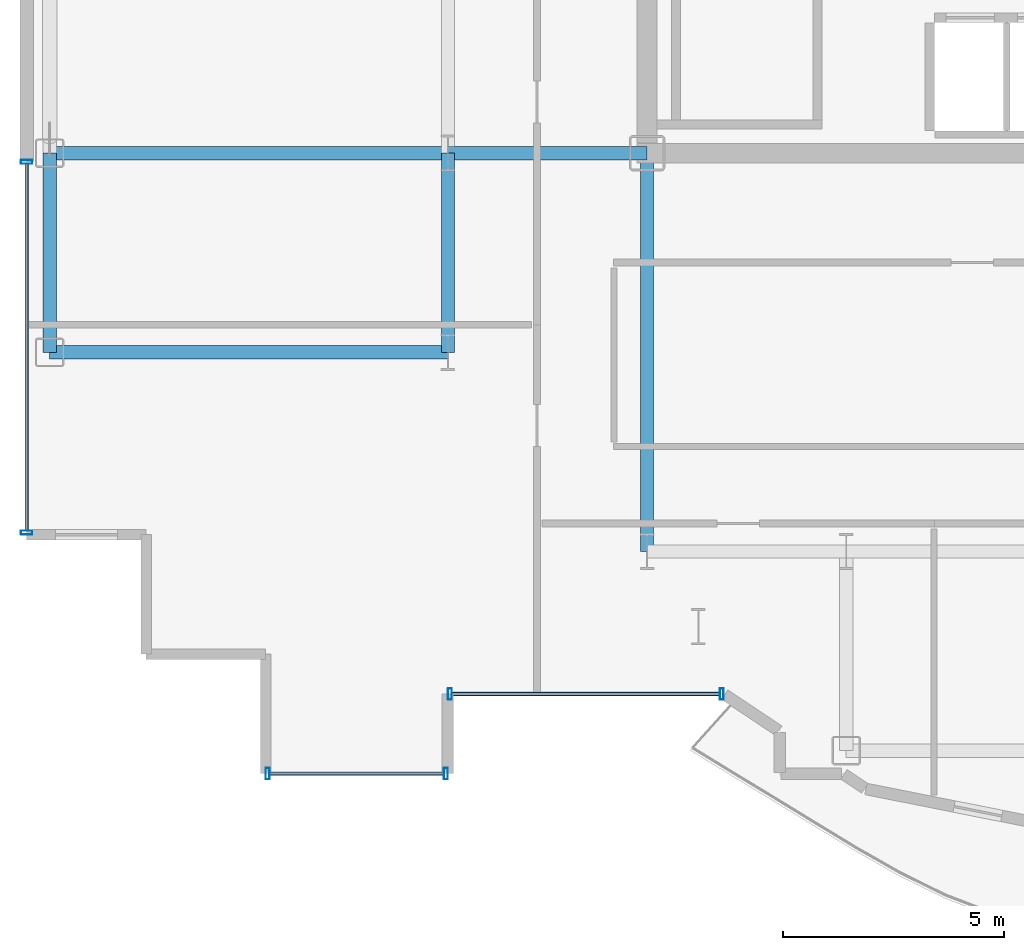
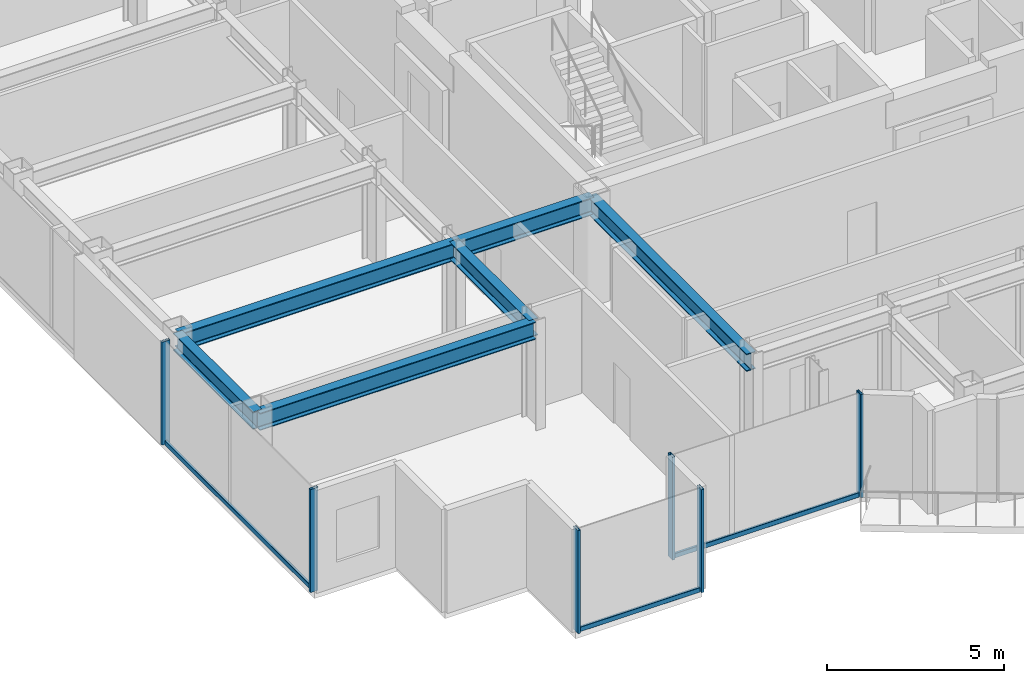
# One storey, part 2 of 22: 9 members, 6 beams, 3 elements without a shape of their own.
"""IFC4 building model written with IfcOpenShell, lengths in metres."""

from ifc_helpers import new_model, si_unit, direction, frame, origin, origin_2d, place, context, subcontext, project, spatial, hollow_rectangle, i_section, extrude, source, transform, mapped, material, layer, layer_set, material_profile, profile_set, type_object, element, aggregate, save


model = new_model("IFC4")

# Units and contexts
model_context = context("Model", 3, precision=1e-05, world=origin(), true_north=direction((0.0, 1.0)))
body_context = subcontext(model_context, "Body", "Model", "MODEL_VIEW")
ifc_project = project(units=[si_unit("LENGTHUNIT", "METRE"), si_unit("AREAUNIT", "SQUARE_METRE"), si_unit("VOLUMEUNIT", "CUBIC_METRE"), si_unit("PLANEANGLEUNIT", "RADIAN"), si_unit("MASSUNIT", "GRAM", prefix="KILO")], contexts=[model_context])

# Site, building, storey
site_placement = place(None, origin())
site = spatial("IfcSite", under=ifc_project, at=site_placement, CompositionType="ELEMENT")
building_placement = place(site_placement, origin())
building = spatial("IfcBuilding", under=site, at=building_placement, Name="Nefas-Gora Pilgrimage Tower", CompositionType="ELEMENT")
storey_placement = place(building_placement, frame((0.0, 0.0, 218.0)))
storey = spatial("IfcBuildingStorey", under=building, at=storey_placement, Name="L54", CompositionType="ELEMENT", Elevation=218.0)

# Beams
ifc_material_1 = material(Name="Steel S355", Category="steel")
ifc_material_profile_1 = material_profile(ifc_material_1, i_section(OverallWidth=0.300048828125, OverallDepth=0.60009765625, WebThickness=0.015380859375, FlangeThickness=0.030029296875, FilletRadius=0.027099609375, at=origin_2d()), Name="HEB 600")
ifc_profile_set_1 = profile_set([ifc_material_profile_1], Name="Steel S355")
beam_type_1 = type_object("IfcBeamType", Name="BM-SPN-HEB450", PredefinedType="SPANDREL", material=ifc_profile_set_1)
shared_shape_1 = source(origin(), body_context, "Body", "SweptSolid", [
    extrude(i_section(OverallWidth=0.300048828125, OverallDepth=0.60009765625, WebThickness=0.015380859375, FlangeThickness=0.030029296875, FilletRadius=0.027099609375, at=origin_2d()), origin(), (0.0, 0.0, 1.0), 4.5),
])
beam_placement = place(storey_placement, frame((-24.75, -13.5, 3.25), z_axis=(0.0, 1.0, 0.0), x_axis=(-1.0, 0.0, 0.0)))
element("IfcBeam", 1, at=beam_placement, inside=storey, type_object=beam_type_1, Name="L54 SP-03 beam", PredefinedType="SPANDREL", context=body_context, shape_type="MappedRepresentation", body=[
    mapped(shared_shape_1, transform((0.0, 0.0, 0.0), x_axis=(1.0, 0.0, 0.0), y_axis=(0.0, 1.0, 0.0), z_axis=(0.0, 0.0, 1.0), scale=1.0)),
])
ifc_material_profile_2 = material_profile(ifc_material_1, i_section(OverallWidth=0.300048828125, OverallDepth=0.60009765625, WebThickness=0.015380859375, FlangeThickness=0.030029296875, FilletRadius=0.027099609375, at=origin_2d()), Name="HEB 600")
ifc_profile_set_2 = profile_set([ifc_material_profile_2], Name="Steel S355")
beam_type_2 = type_object("IfcBeamType", Name="BM-GIR-HEB600", PredefinedType="BEAM", material=ifc_profile_set_2)
shared_shape_2 = source(origin(), body_context, "Body", "SweptSolid", [
    extrude(i_section(OverallWidth=0.300048828125, OverallDepth=0.60009765625, WebThickness=0.015380859375, FlangeThickness=0.030029296875, FilletRadius=0.027099609375, at=origin_2d()), origin(), (0.0, 0.0, 1.0), 9.0),
])
for number, where, z_axis, x_axis, name in (
    (2, (-24.75, -13.5, 3.25), (1.0, 0.0, 0.0), (0.0, 1.0, 0.0), "L54 G-04 beam"),
    (3, (-24.75, -9.0, 3.25), (1.0, 0.0, 0.0), (0.0, 1.0, 0.0), "L54 G-04 beam"),
    (4, (-11.25, -18.0, 3.25), (0.0, 1.0, 0.0), (-1.0, 0.0, 0.0), "L54 G-04 beam"),
):
    element("IfcBeam", number, at=place(storey_placement, frame(where, z_axis=z_axis, x_axis=x_axis)), inside=storey, type_object=beam_type_2, Name=name, PredefinedType="BEAM", context=body_context, shape_type="MappedRepresentation", body=[
        mapped(shared_shape_2, transform((0.0, 0.0, 0.0), x_axis=(1.0, 0.0, 0.0), y_axis=(0.0, 1.0, 0.0), z_axis=(0.0, 0.0, 1.0), scale=1.0)),
    ])
shared_shape_3 = source(origin(), body_context, "Body", "SweptSolid", [
    extrude(i_section(OverallWidth=0.300048828125, OverallDepth=0.60009765625, WebThickness=0.015380859375, FlangeThickness=0.030029296875, FilletRadius=0.027099609375, at=origin_2d()), origin(), (0.0, 0.0, 1.0), 4.5),
])
for number, where, z_axis, x_axis, name in (
    (5, (-15.75, -13.5, 3.25), (0.0, 1.0, 0.0), (-1.0, 0.0, 0.0), "L54 G-04 beam"),
    (6, (-15.75, -9.0, 3.25), (1.0, 0.0, 0.0), (0.0, 1.0, 0.0), "L54 G-04 beam"),
):
    element("IfcBeam", number, at=place(storey_placement, frame(where, z_axis=z_axis, x_axis=x_axis)), inside=storey, type_object=beam_type_2, Name=name, PredefinedType="BEAM", context=body_context, shape_type="MappedRepresentation", body=[
        mapped(shared_shape_3, transform((0.0, 0.0, 0.0), x_axis=(1.0, 0.0, 0.0), y_axis=(0.0, 1.0, 0.0), z_axis=(0.0, 0.0, 1.0), scale=1.0)),
    ])

# Curtain wall, members
ifc_material_2 = material(Name="Dark ceramic-fritted solar-control aluminium-glass curtain wall", Category="aluminium")
ifc_layer_1 = layer(ifc_material_2, 0.219970703125)
ifc_layer_set_1 = layer_set([ifc_layer_1], Name="Dark ceramic-fritted solar-control aluminium-glass curtain wall")
curtain_wall_type_1 = type_object("IfcCurtainWallType", Name="CW-SYS-5", PredefinedType="NOTDEFINED", material=ifc_layer_set_1)
curtain_wall_1_placement = place(storey_placement, origin())
curtain_wall_1 = element("IfcCurtainWall", 7, at=curtain_wall_1_placement, inside=storey, type_object=curtain_wall_type_1, Name="L54 Unitised Curtain Wall CW5", PredefinedType="NOTDEFINED")
ifc_material_3 = material(Name="Anodised architectural aluminium", Category="aluminium")
ifc_material_profile_3 = material_profile(ifc_material_3, hollow_rectangle(XDim=0.090087890625, YDim=0.260009765625, WallThickness=0.006103515625, InnerFilletRadius=0.006103515625, OuterFilletRadius=0.011962890625, at=origin_2d()), Name="ALU MULLION 90x260")
ifc_profile_set_3 = profile_set([ifc_material_profile_3], Name="Anodised architectural aluminium")
member_type_1 = type_object("IfcMemberType", Name="CWM-MUL-5", PredefinedType="MULLION", material=ifc_profile_set_3)
shared_shape_4 = source(origin(), body_context, "Body", "SweptSolid", [
    extrude(hollow_rectangle(XDim=0.090087890625, YDim=0.260009765625, WallThickness=0.006103515625, InnerFilletRadius=0.006103515625, OuterFilletRadius=0.011962890625, at=origin_2d()), origin(), (0.0, 0.0, 1.0), 3.550048828125),
])
member_1_placement = place(storey_placement, frame((-15.705078125, -21.219970703125, 0.0), z_axis=(0.0, 0.0, 1.0), x_axis=(1.0, 0.0, 0.0)))
member_1 = element("IfcMember", 8, at=member_1_placement, type_object=member_type_1, Name="CW5 Mullion 1", PredefinedType="MULLION", context=body_context, shape_type="MappedRepresentation", body=[
    mapped(shared_shape_4, transform((0.0, 0.0, 0.0), x_axis=(1.0, 0.0, 0.0), y_axis=(0.0, 1.0, 0.0), z_axis=(0.0, 0.0, 1.0), scale=1.0)),
])
member_2_placement = place(storey_placement, frame((-9.56298828125, -21.219970703125, 0.0), z_axis=(0.0, 0.0, 1.0), x_axis=(1.0, 0.0, 0.0)))
member_2 = element("IfcMember", 9, at=member_2_placement, type_object=member_type_1, Name="CW5 Mullion 2", PredefinedType="MULLION", context=body_context, shape_type="MappedRepresentation", body=[
    mapped(shared_shape_4, transform((0.0, 0.0, 0.0), x_axis=(1.0, 0.0, 0.0), y_axis=(0.0, 1.0, 0.0), z_axis=(0.0, 0.0, 1.0), scale=1.0)),
])
ifc_material_profile_4 = material_profile(ifc_material_3, hollow_rectangle(XDim=0.080078125, YDim=0.159912109375, WallThickness=0.00439453125, InnerFilletRadius=0.00439453125, OuterFilletRadius=0.009033203125, at=origin_2d()), Name="ALU TRANSOM 80x160")
ifc_profile_set_4 = profile_set([ifc_material_profile_4], Name="Anodised architectural aluminium")
member_type_2 = type_object("IfcMemberType", Name="CWM-TRN-5", PredefinedType="USERDEFINED", material=ifc_profile_set_4)
shared_shape_5 = source(origin(), body_context, "Body", "SweptSolid", [
    extrude(hollow_rectangle(XDim=0.080078125, YDim=0.159912109375, WallThickness=0.00439453125, InnerFilletRadius=0.00439453125, OuterFilletRadius=0.009033203125, at=origin_2d()), origin(), (0.0, 0.0, 1.0), 6.052001953125),
])
member_3_placement = place(storey_placement, frame((-15.659912109375, -21.219970703125, 0.050048828125), z_axis=(1.0, 0.0, 0.0), x_axis=(0.0, 1.0, 0.0)))
member_3 = element("IfcMember", 10, at=member_3_placement, type_object=member_type_2, Name="CW5 Spandrel Transom", ObjectType="TRANSOM", PredefinedType="USERDEFINED", context=body_context, shape_type="MappedRepresentation", body=[
    mapped(shared_shape_5, transform((0.0, 0.0, 0.0), x_axis=(1.0, 0.0, 0.0), y_axis=(0.0, 1.0, 0.0), z_axis=(0.0, 0.0, 1.0), scale=1.0)),
])
aggregate(curtain_wall_1, [member_1, member_2, member_3])

ifc_layer_2 = layer(ifc_material_2, 0.219970703125)
ifc_layer_set_2 = layer_set([ifc_layer_2], Name="Dark ceramic-fritted solar-control aluminium-glass curtain wall")
curtain_wall_type_2 = type_object("IfcCurtainWallType", Name="CW-SYS-3", PredefinedType="NOTDEFINED", material=ifc_layer_set_2)
curtain_wall_2_placement = place(storey_placement, origin())
curtain_wall_2 = element("IfcCurtainWall", 11, at=curtain_wall_2_placement, inside=storey, type_object=curtain_wall_type_2, Name="L54 Unitised Curtain Wall CW3", PredefinedType="NOTDEFINED")
ifc_material_profile_5 = material_profile(ifc_material_3, hollow_rectangle(XDim=0.090087890625, YDim=0.260009765625, WallThickness=0.006103515625, InnerFilletRadius=0.006103515625, OuterFilletRadius=0.011962890625, at=origin_2d()), Name="ALU MULLION 90x260")
ifc_profile_set_5 = profile_set([ifc_material_profile_5], Name="Anodised architectural aluminium")
member_type_3 = type_object("IfcMemberType", Name="CWM-MUL-3", PredefinedType="MULLION", material=ifc_profile_set_5)
shared_shape_6 = source(origin(), body_context, "Body", "SweptSolid", [
    extrude(hollow_rectangle(XDim=0.090087890625, YDim=0.260009765625, WallThickness=0.006103515625, InnerFilletRadius=0.006103515625, OuterFilletRadius=0.011962890625, at=origin_2d()), origin(), (0.0, 0.0, 1.0), 3.550048828125),
])
member_4_placement = place(storey_placement, frame((-25.27001953125, -9.195068359375, 0.0), z_axis=(0.0, 0.0, 1.0), x_axis=(0.0, -1.0, 0.0)))
member_4 = element("IfcMember", 12, at=member_4_placement, type_object=member_type_3, Name="CW3 Mullion 1", PredefinedType="MULLION", context=body_context, shape_type="MappedRepresentation", body=[
    mapped(shared_shape_6, transform((0.0, 0.0, 0.0), x_axis=(1.0, 0.0, 0.0), y_axis=(0.0, 1.0, 0.0), z_axis=(0.0, 0.0, 1.0), scale=1.0)),
])
member_5_placement = place(storey_placement, frame((-25.27001953125, -17.574951171875, 0.0), z_axis=(0.0, 0.0, 1.0), x_axis=(0.0, -1.0, 0.0)))
member_5 = element("IfcMember", 13, at=member_5_placement, type_object=member_type_3, Name="CW3 Mullion 2", PredefinedType="MULLION", context=body_context, shape_type="MappedRepresentation", body=[
    mapped(shared_shape_6, transform((0.0, 0.0, 0.0), x_axis=(1.0, 0.0, 0.0), y_axis=(0.0, 1.0, 0.0), z_axis=(0.0, 0.0, 1.0), scale=1.0)),
])

curtain_wall_3_placement = place(storey_placement, origin())
curtain_wall_3 = element("IfcCurtainWall", 14, at=curtain_wall_3_placement, inside=storey, type_object=curtain_wall_type_2, Name="L54 Unitised Curtain Wall CW3", PredefinedType="NOTDEFINED")
member_6_placement = place(storey_placement, frame((-19.824951171875, -23.02001953125, 0.0), z_axis=(0.0, 0.0, 1.0), x_axis=(1.0, 0.0, 0.0)))
member_6 = element("IfcMember", 15, at=member_6_placement, type_object=member_type_3, Name="CW3 Mullion 1", PredefinedType="MULLION", context=body_context, shape_type="MappedRepresentation", body=[
    mapped(shared_shape_6, transform((0.0, 0.0, 0.0), x_axis=(1.0, 0.0, 0.0), y_axis=(0.0, 1.0, 0.0), z_axis=(0.0, 0.0, 1.0), scale=1.0)),
])
member_7_placement = place(storey_placement, frame((-15.794921875, -23.02001953125, 0.0), z_axis=(0.0, 0.0, 1.0), x_axis=(1.0, 0.0, 0.0)))
member_7 = element("IfcMember", 16, at=member_7_placement, type_object=member_type_3, Name="CW3 Mullion 2", PredefinedType="MULLION", context=body_context, shape_type="MappedRepresentation", body=[
    mapped(shared_shape_6, transform((0.0, 0.0, 0.0), x_axis=(1.0, 0.0, 0.0), y_axis=(0.0, 1.0, 0.0), z_axis=(0.0, 0.0, 1.0), scale=1.0)),
])

# Member
ifc_material_profile_6 = material_profile(ifc_material_3, hollow_rectangle(XDim=0.080078125, YDim=0.159912109375, WallThickness=0.00439453125, InnerFilletRadius=0.00439453125, OuterFilletRadius=0.009033203125, at=origin_2d()), Name="ALU TRANSOM 80x160")
ifc_profile_set_6 = profile_set([ifc_material_profile_6], Name="Anodised architectural aluminium")
member_type_4 = type_object("IfcMemberType", Name="CWM-TRN-3", PredefinedType="USERDEFINED", material=ifc_profile_set_6)
shared_shape_7 = source(origin(), body_context, "Body", "SweptSolid", [
    extrude(hollow_rectangle(XDim=0.080078125, YDim=0.159912109375, WallThickness=0.00439453125, InnerFilletRadius=0.00439453125, OuterFilletRadius=0.009033203125, at=origin_2d()), origin(), (0.0, 0.0, 1.0), 8.2900390625),
])
member_8_placement = place(storey_placement, frame((-25.27001953125, -9.239990234375, 0.050048828125), z_axis=(0.0, -1.0, 0.0), x_axis=(1.0, 0.0, 0.0)))
member_8 = element("IfcMember", 17, at=member_8_placement, type_object=member_type_4, Name="CW3 Spandrel Transom", ObjectType="TRANSOM", PredefinedType="USERDEFINED", context=body_context, shape_type="MappedRepresentation", body=[
    mapped(shared_shape_7, transform((0.0, 0.0, 0.0), x_axis=(1.0, 0.0, 0.0), y_axis=(0.0, 1.0, 0.0), z_axis=(0.0, 0.0, 1.0), scale=1.0)),
])

aggregate(curtain_wall_2, [member_4, member_5, member_8])

shared_shape_8 = source(origin(), body_context, "Body", "SweptSolid", [
    extrude(hollow_rectangle(XDim=0.080078125, YDim=0.159912109375, WallThickness=0.00439453125, InnerFilletRadius=0.00439453125, OuterFilletRadius=0.009033203125, at=origin_2d()), origin(), (0.0, 0.0, 1.0), 3.93994140625),
])
member_9_placement = place(storey_placement, frame((-19.780029296875, -23.02001953125, 0.050048828125), z_axis=(1.0, 0.0, 0.0), x_axis=(0.0, 1.0, 0.0)))
member_9 = element("IfcMember", 18, at=member_9_placement, type_object=member_type_4, Name="CW3 Spandrel Transom", ObjectType="TRANSOM", PredefinedType="USERDEFINED", context=body_context, shape_type="MappedRepresentation", body=[
    mapped(shared_shape_8, transform((0.0, 0.0, 0.0), x_axis=(1.0, 0.0, 0.0), y_axis=(0.0, 1.0, 0.0), z_axis=(0.0, 0.0, 1.0), scale=1.0)),
])

aggregate(curtain_wall_3, [member_6, member_7, member_9])

save(model, "model.ifc")
